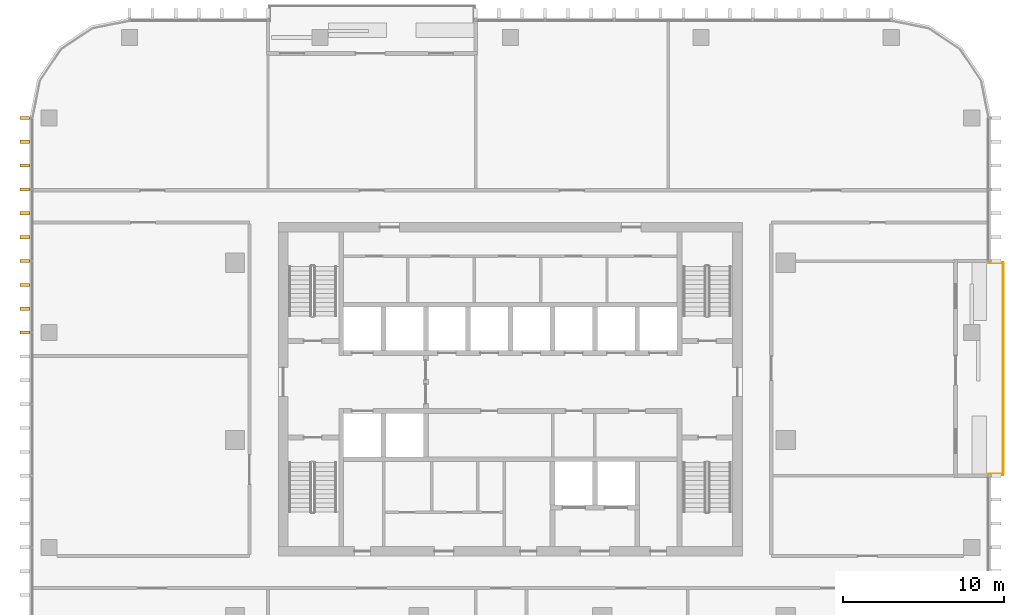
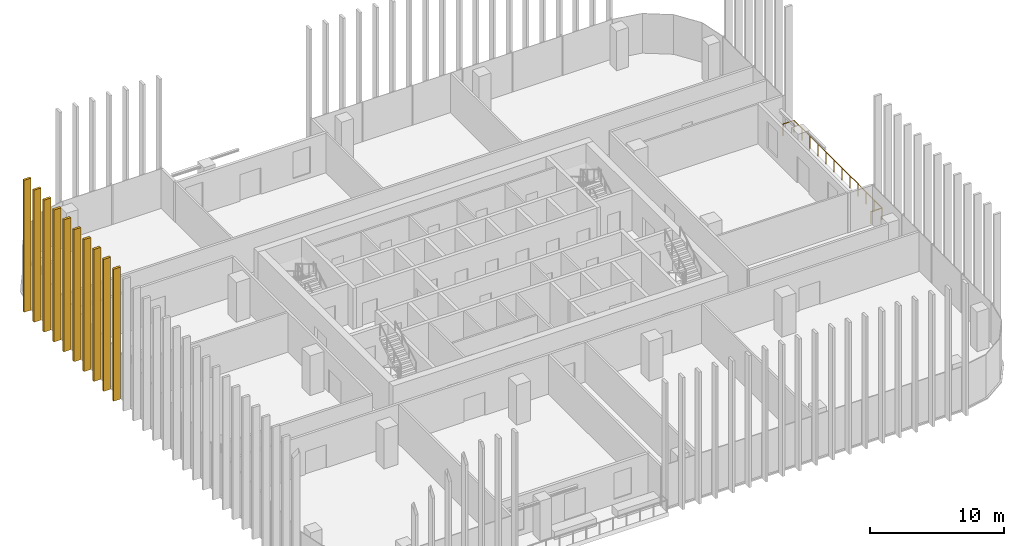
# One storey, part 14 of 16: 10 shading devices, 1 railing.
"""IFC4 building model written with IfcOpenShell, lengths in metres."""

from ifc_helpers import new_model, si_unit, direction, frame, origin, origin_2d, place, context, subcontext, project, spatial, rectangle, circle, extrude, material, type_object, element, save


model = new_model("IFC4")

# Units and contexts
model_context = context("Model", 3, precision=1e-05, world=origin(), true_north=direction((0.0, 1.0)))
body_context = subcontext(model_context, "Body", "Model", "MODEL_VIEW")
ifc_project = project(units=[si_unit("LENGTHUNIT", "METRE"), si_unit("AREAUNIT", "SQUARE_METRE"), si_unit("VOLUMEUNIT", "CUBIC_METRE"), si_unit("PLANEANGLEUNIT", "RADIAN"), si_unit("MASSUNIT", "GRAM", prefix="KILO")], contexts=[model_context])

# Site, building, storey
site_placement = place(None, origin())
site = spatial("IfcSite", under=ifc_project, at=site_placement, CompositionType="ELEMENT")
building_placement = place(site_placement, origin())
building = spatial("IfcBuilding", under=site, at=building_placement, Name="Mopane Tessera Tower", CompositionType="ELEMENT")
storey_placement = place(building_placement, frame((0.0, 0.0, 291.39990234375)))
storey = spatial("IfcBuildingStorey", under=building, at=storey_placement, Name="L63", CompositionType="ELEMENT", Elevation=291.39990234375)

# Shading devices
ifc_material_1 = material(Name="Glazed ceramic tile")
shading_device_type = type_object("IfcShadingDeviceType", Name="Ceramic tile fin 600 x 200 mm", PredefinedType="USERDEFINED", material=ifc_material_1)
for number, where, z_axis, x_axis, name in (
    (1, (-30.14990234375, 20.0, -0.39990234375), (0.0, 0.0, 1.0), (0.0, -1.0, 0.0), "e:fin:L63:W:0:0"),
    (2, (-30.14990234375, 18.5185546875, -0.39990234375), (0.0, 0.0, 1.0), (0.0, -1.0, 0.0), "e:fin:L63:W:0:1"),
    (3, (-30.14990234375, 17.037109375, -0.39990234375), (0.0, 0.0, 1.0), (0.0, -1.0, 0.0), "e:fin:L63:W:0:2"),
    (4, (-30.14990234375, 15.5556640625, -0.39990234375), (0.0, 0.0, 1.0), (0.0, -1.0, 0.0), "e:fin:L63:W:1:0"),
    (5, (-30.14990234375, 14.073974609375, -0.39990234375), (0.0, 0.0, 1.0), (0.0, -1.0, 0.0), "e:fin:L63:W:1:1"),
    (6, (-30.14990234375, 12.592529296875, -0.39990234375), (0.0, 0.0, 1.0), (0.0, -1.0, 0.0), "e:fin:L63:W:1:2"),
    (7, (-30.14990234375, 11.111083984375, -0.39990234375), (0.0, 0.0, 1.0), (0.0, -1.0, 0.0), "e:fin:L63:W:2:0"),
    (8, (-30.14990234375, 9.629638671875, -0.39990234375), (0.0, 0.0, 1.0), (0.0, -1.0, 0.0), "e:fin:L63:W:2:1"),
    (9, (-30.14990234375, 8.148193359375, -0.39990234375), (0.0, 0.0, 1.0), (0.0, -1.0, 0.0), "e:fin:L63:W:2:2"),
    (10, (-30.14990234375, 6.666748046875, -0.39990234375), (0.0, 0.0, 1.0), (0.0, -1.0, 0.0), "e:fin:L63:W:3:0"),
):
    element("IfcShadingDevice", number, at=place(storey_placement, frame(where, z_axis=z_axis, x_axis=x_axis)), inside=storey, type_object=shading_device_type, Name=name, ObjectType="FIN", PredefinedType="USERDEFINED", context=body_context, shape_type="SweptSolid", body=[
        extrude(rectangle(XDim=0.199951171875, YDim=0.60009765625, at=origin_2d()), origin(), (0.0, 0.0, 1.0), 12.0),
    ])

# Railing
ifc_material_2 = material(Name="Stainless steel S316", Category="steel")
railing_type = type_object("IfcRailingType", Name="Terrace guard 1100", PredefinedType="GUARDRAIL", material=ifc_material_2)
railing_placement = place(storey_placement, frame((29.64990234375, -2.122314453125, 0.0)))
element("IfcRailing", 11, at=railing_placement, inside=storey, type_object=railing_type, Name="e:nw:L63:N1:guard", PredefinedType="GUARDRAIL", context=body_context, shape_type="SweptSolid", body=[
    extrude(circle(Radius=0.02392578125, at=origin_2d()), frame((0.0, 0.0, 1.076171875), z_axis=(1.0, 0.0, 0.0), x_axis=(0.0, 1.0, 0.0)), (0.0, 0.0, 1.0), 0.9501953125),
    extrude(circle(Radius=0.02392578125, at=origin_2d()), frame((0.9501953125, 0.0, 1.076171875), z_axis=(0.0, 1.0, 0.0), x_axis=(-1.0, 0.0, 0.0)), (0.0, 0.0, 1.0), 13.133544921875),
    extrude(circle(Radius=0.02392578125, at=origin_2d()), frame((0.9501953125, 13.133544921875, 1.076171875), z_axis=(-1.0, 0.0, 0.0), x_axis=(0.0, -1.0, 0.0)), (0.0, 0.0, 1.0), 0.9501953125),
    extrude(circle(Radius=0.02099609375, at=origin_2d()), origin(), (0.0, 0.0, 1.0), 1.052001953125),
    extrude(circle(Radius=0.02099609375, at=origin_2d()), frame((0.9501953125, 0.0, 0.0)), (0.0, 0.0, 1.0), 1.052001953125),
    extrude(circle(Radius=0.02099609375, at=origin_2d()), frame((0.9501953125, 1.19384765625, 0.0)), (0.0, 0.0, 1.0), 1.052001953125),
    extrude(circle(Radius=0.02099609375, at=origin_2d()), frame((0.9501953125, 2.387939453125, 0.0)), (0.0, 0.0, 1.0), 1.052001953125),
    extrude(circle(Radius=0.02099609375, at=origin_2d()), frame((0.9501953125, 3.581787109375, 0.0)), (0.0, 0.0, 1.0), 1.052001953125),
    extrude(circle(Radius=0.02099609375, at=origin_2d()), frame((0.9501953125, 4.77587890625, 0.0)), (0.0, 0.0, 1.0), 1.052001953125),
    extrude(circle(Radius=0.02099609375, at=origin_2d()), frame((0.9501953125, 5.9697265625, 0.0)), (0.0, 0.0, 1.0), 1.052001953125),
    extrude(circle(Radius=0.02099609375, at=origin_2d()), frame((0.9501953125, 7.163818359375, 0.0)), (0.0, 0.0, 1.0), 1.052001953125),
    extrude(circle(Radius=0.02099609375, at=origin_2d()), frame((0.9501953125, 8.357666015625, 0.0)), (0.0, 0.0, 1.0), 1.052001953125),
    extrude(circle(Radius=0.02099609375, at=origin_2d()), frame((0.9501953125, 9.5517578125, 0.0)), (0.0, 0.0, 1.0), 1.052001953125),
    extrude(circle(Radius=0.02099609375, at=origin_2d()), frame((0.9501953125, 10.74560546875, 0.0)), (0.0, 0.0, 1.0), 1.052001953125),
    extrude(circle(Radius=0.02099609375, at=origin_2d()), frame((0.9501953125, 11.939697265625, 0.0)), (0.0, 0.0, 1.0), 1.052001953125),
    extrude(circle(Radius=0.02099609375, at=origin_2d()), frame((0.9501953125, 13.133544921875, 0.0)), (0.0, 0.0, 1.0), 1.052001953125),
    extrude(circle(Radius=0.02099609375, at=origin_2d()), frame((0.0, 13.133544921875, 0.0)), (0.0, 0.0, 1.0), 1.052001953125),
])

save(model, "model.ifc")
